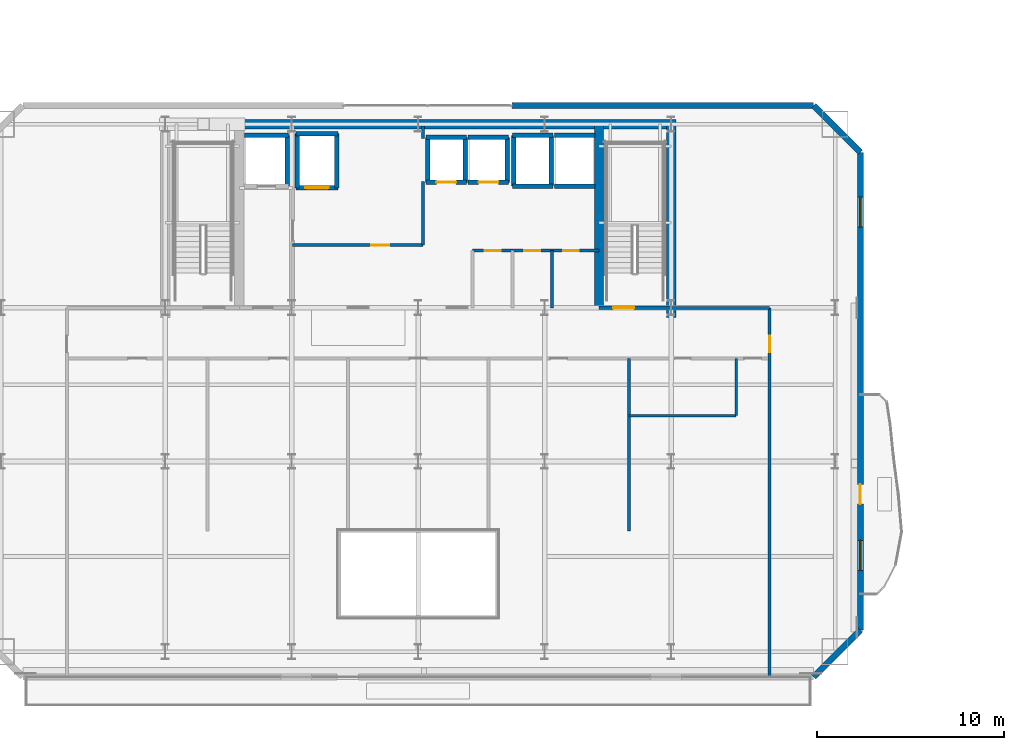
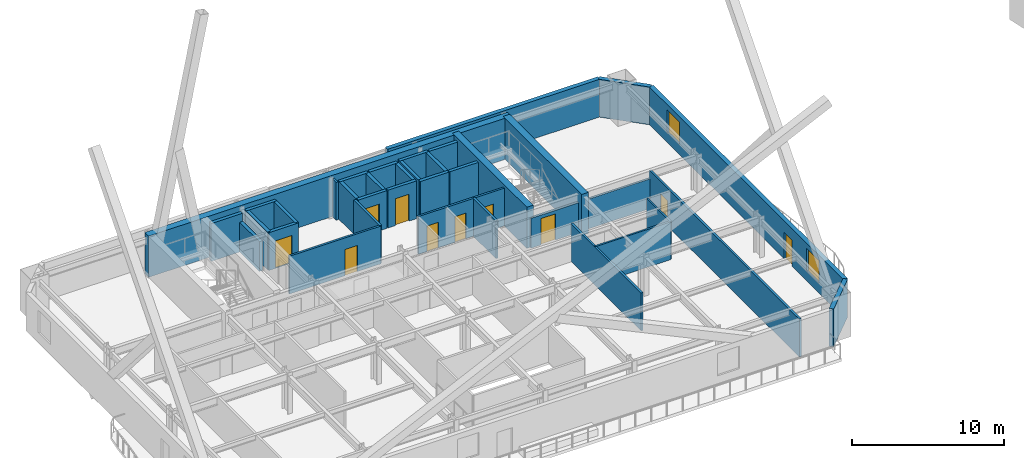
# One storey, part 13 of 22: 37 walls, 10 doors, 2 windows, 12 openings.
"""IFC4 building model written with IfcOpenShell, lengths in metres."""

from ifc_helpers import new_model, si_unit, direction, frame, frame_2d, origin, place, context, subcontext, project, spatial, rectangle, extrude, material, layer, layer_set, type_object, element, fill, save


model = new_model("IFC4")

# Units and contexts
model_context = context("Model", 3, precision=1e-05, world=origin(), true_north=direction((0.0, 1.0)))
body_context = subcontext(model_context, "Body", "Model", "MODEL_VIEW")
ifc_project = project(units=[si_unit("LENGTHUNIT", "METRE"), si_unit("AREAUNIT", "SQUARE_METRE"), si_unit("VOLUMEUNIT", "CUBIC_METRE"), si_unit("PLANEANGLEUNIT", "RADIAN"), si_unit("MASSUNIT", "GRAM", prefix="KILO")], contexts=[model_context])

# Site, building, storey
site_placement = place(None, origin())
site = spatial("IfcSite", under=ifc_project, at=site_placement, CompositionType="ELEMENT")
building_placement = place(site_placement, origin())
building = spatial("IfcBuilding", under=site, at=building_placement, Name="Haevon Station Towers", CompositionType="ELEMENT")
storey_placement = place(building_placement, frame((0.0, 0.0, 93.300048828125)))
storey = spatial("IfcBuildingStorey", under=building, at=storey_placement, Name="L24", CompositionType="ELEMENT", Elevation=93.300048828125)

# Wall, opening, door
ifc_material_1 = material(Name="Gypsum board on steel stud", Category="steel")
ifc_layer_1 = layer(ifc_material_1, 0.199951171875)
ifc_layer_set_1 = layer_set([ifc_layer_1], Name="Gypsum board on steel stud")
wall_type_1 = type_object("IfcWallType", Name="WL-COR200", PredefinedType="PARTITIONING", material=ifc_layer_set_1)
wall_1_placement = place(storey_placement, frame((47.14990234375, 38.199951171875, 0.0), z_axis=(0.0, 0.0, 1.0), x_axis=(1.0, 0.0, 0.0)))
wall_1 = element("IfcWall", 1, at=wall_1_placement, inside=storey, type_object=wall_type_1, Name="WL-ST-ST2-L24", PredefinedType="PARTITIONING", context=body_context, shape_type="SweptSolid", body=[
    extrude(rectangle(XDim=3.85009765625, YDim=0.199951171875, at=frame_2d((1.925048828125, 0.0))), origin(), (0.0, 0.0, 1.0), 2.3798828125),
])
opening_1_placement = place(wall_1_placement, frame((0.75, 0.0, 0.0)))
opening_1 = element("IfcOpeningElement", 2, at=opening_1_placement, cuts=wall_1, Name="Opening DR-ST-ST2-L24", PredefinedType="OPENING", context=body_context, shape_type="SweptSolid", body=[
    extrude(rectangle(XDim=1.1201171875, YDim=2.10009765625, at=frame_2d((0.56005859375, 1.050048828125))), frame((0.0, 0.10986328125, 0.0), z_axis=(0.0, -1.0, 0.0), x_axis=(1.0, 0.0, 0.0)), (0.0, 0.0, 1.0), 0.219970703125),
])
ifc_material_2 = material(Name="Engineered oak timber", Category="wood")
door_type_1 = type_object("IfcDoorType", Name="DR-ST-1120", OperationType="NOTDEFINED", PredefinedType="DOOR", material=ifc_material_2)
door_1_placement = place(opening_1_placement, origin())
door_1 = element("IfcDoor", 3, at=door_1_placement, inside=storey, type_object=door_type_1, Name="L24 Escape Stair ST2 Fire Door", OperationType="SINGLE_SWING_LEFT", OverallHeight=2.10009765625, OverallWidth=1.1201171875, PredefinedType="DOOR", context=body_context, shape_type="SweptSolid", body=[
    extrude(rectangle(XDim=1.1201171875, YDim=2.10009765625, at=frame_2d((0.56005859375, 1.050048828125))), frame((0.0, 0.02490234375, 0.0), z_axis=(0.0, -1.0, 0.0), x_axis=(1.0, 0.0, 0.0)), (0.0, 0.0, 1.0), 0.050048828125),
])
fill(opening_1, door_1)

# Walls
ifc_material_3 = material(Name="Concrete C60/75", Category="concrete")
ifc_layer_2 = layer(ifc_material_3, 0.5)
ifc_layer_set_2 = layer_set([ifc_layer_2], Name="Concrete C60/75")
wall_type_2 = type_object("IfcWallType", Name="WL-CR500", PredefinedType="SHEAR", material=ifc_layer_set_2)
wall_2_placement = place(storey_placement, frame((23.75, 48.0, 0.0), z_axis=(0.0, 0.0, 1.0), x_axis=(1.0, 0.0, 0.0)))
element("IfcWall", 4, at=wall_2_placement, inside=storey, type_object=wall_type_2, Name="WL-T1CR-L24-N", PredefinedType="SHEAR", context=body_context, shape_type="SweptSolid", body=[
    extrude(rectangle(XDim=27.5, YDim=0.5, at=frame_2d((13.75, 0.0))), origin(), (0.0, 0.0, 1.0), 3.300048828125),
])
wall_3_placement = place(storey_placement, frame((51.0, 37.679931640625, 0.0), z_axis=(0.0, 0.0, 1.0), x_axis=(0.0, 1.0, 0.0)))
element("IfcWall", 5, at=wall_3_placement, inside=storey, type_object=wall_type_2, Name="WL-T1CR-L24-E", PredefinedType="SHEAR", context=body_context, shape_type="SweptSolid", body=[
    extrude(rectangle(XDim=10.320068359375, YDim=0.5, at=frame_2d((5.16015625, 0.0))), origin(), (0.0, 0.0, 1.0), 3.300048828125),
])
wall_4_placement = place(storey_placement, frame((47.14990234375, 38.199951171875, 0.0), z_axis=(0.0, 0.0, 1.0), x_axis=(0.0, 1.0, 0.0)))
element("IfcWall", 6, at=wall_4_placement, inside=storey, type_object=wall_type_2, Name="WL-T1CR-L24-M2", PredefinedType="SHEAR", context=body_context, shape_type="SweptSolid", body=[
    extrude(rectangle(XDim=9.800048828125, YDim=0.5, at=frame_2d((4.89990234375, 0.0))), origin(), (0.0, 0.0, 1.0), 3.300048828125),
])
ifc_material_4 = material(Name="Precast concrete C45/55", Category="concrete")
ifc_layer_3 = layer(ifc_material_4, 0.320068359375)
ifc_layer_set_3 = layer_set([ifc_layer_3], Name="Precast concrete C45/55")
wall_type_3 = type_object("IfcWallType", Name="WL-EXT-PIER320", PredefinedType="SOLIDWALL", material=ifc_layer_set_3)
wall_5_placement = place(storey_placement, frame((42.5, 49.0, 0.0), z_axis=(0.0, 0.0, 1.0), x_axis=(1.0, 0.0, 0.0)))
element("IfcWall", 7, at=wall_5_placement, inside=storey, type_object=wall_type_3, Name="WL-T1-L24-N2", PredefinedType="SOLIDWALL", context=body_context, shape_type="SweptSolid", body=[
    extrude(rectangle(XDim=16.10009765625, YDim=0.320068359375, at=frame_2d((8.050048828125, 0.0))), origin(), (0.0, 0.0, 1.0), 3.030029296875),
])
wall_6_placement = place(storey_placement, frame((58.60009765625, 49.0, 0.0), z_axis=(0.0, 0.0, 1.0), x_axis=(0.707106781187, -0.707106781187, 0.0)))
element("IfcWall", 8, at=wall_6_placement, inside=storey, type_object=wall_type_3, Name="WL-T1-L24-NEC", PredefinedType="SOLIDWALL", context=body_context, shape_type="SweptSolid", body=[
    extrude(rectangle(XDim=3.53564453125, YDim=0.320068359375, at=frame_2d((1.767822265625, 0.0))), origin(), (0.0, 0.0, 1.0), 3.030029296875),
])

# Wall, openings, door, windows
wall_7_placement = place(storey_placement, frame((61.10009765625, 46.5, 0.0), z_axis=(0.0, 0.0, 1.0), x_axis=(0.0, -1.0, 0.0)))
wall_7 = element("IfcWall", 9, at=wall_7_placement, inside=storey, type_object=wall_type_3, Name="WL-T1-L24-E", PredefinedType="SOLIDWALL", context=body_context, shape_type="SweptSolid", body=[
    extrude(rectangle(XDim=25.5, YDim=0.320068359375, at=frame_2d((12.75, 0.0))), origin(), (0.0, 0.0, 1.0), 3.030029296875),
])
opening_2_placement = place(wall_7_placement, frame((17.72509765625, 0.0, 0.0)))
opening_2 = element("IfcOpeningElement", 10, at=opening_2_placement, cuts=wall_7, Name="Opening DR-T1-SCAL-L24-E", PredefinedType="OPENING", context=body_context, shape_type="SweptSolid", body=[
    extrude(rectangle(XDim=1.050048828125, YDim=2.10009765625, at=frame_2d((0.52490234375, 1.050048828125))), frame((0.0, 0.169921875, 0.0), z_axis=(0.0, -1.0, 0.0), x_axis=(1.0, 0.0, 0.0)), (0.0, 0.0, 1.0), 0.340087890625),
])
opening_3_placement = place(wall_7_placement, frame((2.392822265625, 0.0, 0.800048828125)))
opening_3 = element("IfcOpeningElement", 11, at=opening_3_placement, cuts=wall_7, Name="Opening WN-END160", PredefinedType="OPENING", context=body_context, shape_type="SweptSolid", body=[
    extrude(rectangle(XDim=1.60009765625, YDim=1.800048828125, at=frame_2d((0.800048828125, 0.89990234375))), frame((0.0, 0.169921875, 0.0), z_axis=(0.0, -1.0, 0.0), x_axis=(1.0, 0.0, 0.0)), (0.0, 0.0, 1.0), 0.340087890625),
])
opening_4_placement = place(wall_7_placement, frame((20.710693359375, 0.0, 0.800048828125)))
opening_4 = element("IfcOpeningElement", 12, at=opening_4_placement, cuts=wall_7, Name="Opening WN-END160", PredefinedType="OPENING", context=body_context, shape_type="SweptSolid", body=[
    extrude(rectangle(XDim=1.60009765625, YDim=1.800048828125, at=frame_2d((0.800048828125, 0.89990234375))), frame((0.0, 0.169921875, 0.0), z_axis=(0.0, -1.0, 0.0), x_axis=(1.0, 0.0, 0.0)), (0.0, 0.0, 1.0), 0.340087890625),
])
ifc_material_5 = material(Name="Thermally broken anodised aluminium and laminated safety glass", Category="aluminium")
door_type_2 = type_object("IfcDoorType", Name="DR-BALC-1050", OperationType="NOTDEFINED", PredefinedType="DOOR", material=ifc_material_5)
door_2_placement = place(opening_2_placement, origin())
door_2 = element("IfcDoor", 13, at=door_2_placement, inside=storey, type_object=door_type_2, Name="Tower 1 L24 East Scalloped Balcony Door", OperationType="SINGLE_SWING_RIGHT", OverallHeight=2.10009765625, OverallWidth=1.050048828125, PredefinedType="DOOR", context=body_context, shape_type="SweptSolid", body=[
    extrude(rectangle(XDim=1.050048828125, YDim=2.10009765625, at=frame_2d((0.52490234375, 1.050048828125))), frame((0.0, 0.02490234375, 0.0), z_axis=(0.0, -1.0, 0.0), x_axis=(1.0, 0.0, 0.0)), (0.0, 0.0, 1.0), 0.050048828125),
])
fill(opening_2, door_2)
ifc_material_6 = material(Name="Low-E triple glazing in thermally broken aluminium", Category="aluminium")
window_type = type_object("IfcWindowType", Name="WN-END160", PartitioningType="SINGLE_PANEL", PredefinedType="WINDOW", material=ifc_material_6)
window_1_placement = place(opening_3_placement, origin())
window_1 = element("IfcWindow", 14, at=window_1_placement, inside=storey, type_object=window_type, Name="WN-T1-L24-E01", OverallHeight=1.800048828125, OverallWidth=1.60009765625, PartitioningType="SINGLE_PANEL", PredefinedType="WINDOW", context=body_context, shape_type="SweptSolid", body=[
    extrude(rectangle(XDim=1.60009765625, YDim=1.800048828125, at=frame_2d((0.800048828125, 0.89990234375))), frame((0.0, 0.030029296875, 0.0), z_axis=(0.0, -1.0, 0.0), x_axis=(1.0, 0.0, 0.0)), (0.0, 0.0, 1.0), 0.06005859375),
])
fill(opening_3, window_1)
window_2_placement = place(opening_4_placement, origin())
window_2 = element("IfcWindow", 15, at=window_2_placement, inside=storey, type_object=window_type, Name="WN-T1-L24-E02", OverallHeight=1.800048828125, OverallWidth=1.60009765625, PartitioningType="SINGLE_PANEL", PredefinedType="WINDOW", context=body_context, shape_type="SweptSolid", body=[
    extrude(rectangle(XDim=1.60009765625, YDim=1.800048828125, at=frame_2d((0.800048828125, 0.89990234375))), frame((0.0, 0.030029296875, 0.0), z_axis=(0.0, -1.0, 0.0), x_axis=(1.0, 0.0, 0.0)), (0.0, 0.0, 1.0), 0.06005859375),
])
fill(opening_4, window_2)

# Walls
wall_8_placement = place(storey_placement, frame((61.10009765625, 21.0, 0.0), z_axis=(0.0, 0.0, 1.0), x_axis=(-0.707106781187, -0.707106781187, 0.0)))
element("IfcWall", 16, at=wall_8_placement, inside=storey, type_object=wall_type_3, Name="WL-T1-L24-SEC", PredefinedType="SOLIDWALL", context=body_context, shape_type="SweptSolid", body=[
    extrude(rectangle(XDim=3.53564453125, YDim=0.320068359375, at=frame_2d((1.767822265625, 0.0))), origin(), (0.0, 0.0, 1.0), 3.030029296875),
])
ifc_layer_4 = layer(ifc_material_1, 0.125)
ifc_layer_set_4 = layer_set([ifc_layer_4], Name="Gypsum board on steel stud")
wall_type_4 = type_object("IfcWallType", Name="WL-PRT125", PredefinedType="PARTITIONING", material=ifc_layer_set_4)
wall_9_placement = place(storey_placement, frame((54.469970703125, 32.449951171875, 0.0), z_axis=(0.0, 0.0, 1.0), x_axis=(0.0, 1.0, 0.0)))
element("IfcWall", 17, at=wall_9_placement, inside=storey, type_object=wall_type_4, Name="WL-T1PT-L24-17", PredefinedType="PARTITIONING", context=body_context, shape_type="SweptSolid", body=[
    extrude(rectangle(XDim=3.050048828125, YDim=0.125, at=frame_2d((1.52490234375, 0.0))), origin(), (0.0, 0.0, 1.0), 3.030029296875),
])
ifc_layer_5 = layer(ifc_material_1, 0.139892578125)
ifc_layer_set_5 = layer_set([ifc_layer_5], Name="Gypsum board on steel stud")
wall_type_5 = type_object("IfcWallType", Name="WL-PRT140", PredefinedType="PARTITIONING", material=ifc_layer_set_5)
wall_10_placement = place(storey_placement, frame((48.75, 32.449951171875, 0.0), z_axis=(0.0, 0.0, 1.0), x_axis=(1.0, 0.0, 0.0)))
element("IfcWall", 18, at=wall_10_placement, inside=storey, type_object=wall_type_5, Name="WL-T1PT-L24-16", PredefinedType="PARTITIONING", context=body_context, shape_type="SweptSolid", body=[
    extrude(rectangle(XDim=5.719970703125, YDim=0.139892578125, at=frame_2d((2.85986328125, 0.0))), origin(), (0.0, 0.0, 1.0), 3.030029296875),
])

# Wall, opening, door
ifc_layer_6 = layer(ifc_material_1, 0.159912109375)
ifc_layer_set_6 = layer_set([ifc_layer_6], Name="Gypsum board on steel stud")
wall_type_6 = type_object("IfcWallType", Name="WL-PRT160", PredefinedType="PARTITIONING", material=ifc_layer_set_6)
wall_11_placement = place(storey_placement, frame((30.800048828125, 41.550048828125, 0.0), z_axis=(0.0, 0.0, 1.0), x_axis=(1.0, 0.0, 0.0)))
wall_11 = element("IfcWall", 19, at=wall_11_placement, inside=storey, type_object=wall_type_6, Name="WL-T1CW-L24-01", PredefinedType="PARTITIONING", context=body_context, shape_type="SweptSolid", body=[
    extrude(rectangle(XDim=6.949951171875, YDim=0.159912109375, at=frame_2d((3.47509765625, 0.0))), origin(), (0.0, 0.0, 1.0), 3.030029296875),
])
opening_5_placement = place(wall_11_placement, frame((4.199951171875, 0.0, 0.0)))
opening_5 = element("IfcOpeningElement", 20, at=opening_5_placement, cuts=wall_11, Name="Opening DR-WL-T1CW-L24-01-1", PredefinedType="OPENING", context=body_context, shape_type="SweptSolid", body=[
    extrude(rectangle(XDim=0.949951171875, YDim=2.10009765625, at=frame_2d((0.47509765625, 1.050048828125))), frame((0.0, 0.08984375, 0.0), z_axis=(0.0, -1.0, 0.0), x_axis=(1.0, 0.0, 0.0)), (0.0, 0.0, 1.0), 0.179931640625),
])
door_type_3 = type_object("IfcDoorType", Name="DR-FD60-950", OperationType="NOTDEFINED", PredefinedType="DOOR", material=ifc_material_2)
door_3_placement = place(opening_5_placement, origin())
door_3 = element("IfcDoor", 21, at=door_3_placement, inside=storey, type_object=door_type_3, Name="L24 Tower 1 Core Room Door 1-1", OperationType="SINGLE_SWING_LEFT", OverallHeight=2.10009765625, OverallWidth=0.949951171875, PredefinedType="DOOR", context=body_context, shape_type="SweptSolid", body=[
    extrude(rectangle(XDim=0.949951171875, YDim=2.10009765625, at=frame_2d((0.47509765625, 1.050048828125))), frame((0.0, 0.02490234375, 0.0), z_axis=(0.0, -1.0, 0.0), x_axis=(1.0, 0.0, 0.0)), (0.0, 0.0, 1.0), 0.050048828125),
])
fill(opening_5, door_3)

# Walls
wall_12_placement = place(storey_placement, frame((37.75, 41.550048828125, 0.0), z_axis=(0.0, 0.0, 1.0), x_axis=(0.0, 1.0, 0.0)))
element("IfcWall", 22, at=wall_12_placement, inside=storey, type_object=wall_type_6, Name="WL-T1CW-L24-02", PredefinedType="PARTITIONING", context=body_context, shape_type="SweptSolid", body=[
    extrude(rectangle(XDim=3.39990234375, YDim=0.159912109375, at=frame_2d((1.699951171875, 0.0))), origin(), (0.0, 0.0, 1.0), 3.030029296875),
])
wall_13_placement = place(storey_placement, frame((37.75, 47.25, 0.0), z_axis=(0.0, 0.0, 1.0), x_axis=(0.0, 1.0, 0.0)))
element("IfcWall", 23, at=wall_13_placement, inside=storey, type_object=wall_type_6, Name="WL-T1CW-L24-03", PredefinedType="PARTITIONING", context=body_context, shape_type="SweptSolid", body=[
    extrude(rectangle(XDim=0.64990234375, YDim=0.159912109375, at=frame_2d((0.324951171875, 0.0))), origin(), (0.0, 0.0, 1.0), 3.030029296875),
])
wall_14_placement = place(storey_placement, frame((44.6298828125, 38.199951171875, 0.0), z_axis=(0.0, 0.0, 1.0), x_axis=(0.0, 1.0, 0.0)))
element("IfcWall", 24, at=wall_14_placement, inside=storey, type_object=wall_type_6, Name="WL-T1CW-L24-06", PredefinedType="PARTITIONING", context=body_context, shape_type="SweptSolid", body=[
    extrude(rectangle(XDim=3.050048828125, YDim=0.159912109375, at=frame_2d((1.52490234375, 0.0))), origin(), (0.0, 0.0, 1.0), 3.030029296875),
])

# Wall, openings, doors
wall_15_placement = place(storey_placement, frame((40.39990234375, 41.25, 0.0), z_axis=(0.0, 0.0, 1.0), x_axis=(1.0, 0.0, 0.0)))
wall_15 = element("IfcWall", 25, at=wall_15_placement, inside=storey, type_object=wall_type_6, Name="WL-T1CW-L24-07", PredefinedType="PARTITIONING", context=body_context, shape_type="SweptSolid", body=[
    extrude(rectangle(XDim=6.75, YDim=0.159912109375, at=frame_2d((3.375, 0.0))), origin(), (0.0, 0.0, 1.0), 3.030029296875),
])
opening_6_placement = place(wall_15_placement, frame((0.659912109375, 0.0, 0.0)))
opening_6 = element("IfcOpeningElement", 26, at=opening_6_placement, cuts=wall_15, Name="Opening DR-WL-T1CW-L24-07-1", PredefinedType="OPENING", context=body_context, shape_type="SweptSolid", body=[
    extrude(rectangle(XDim=0.85009765625, YDim=2.050048828125, at=frame_2d((0.425048828125, 1.02490234375))), frame((0.0, 0.08984375, 0.0), z_axis=(0.0, -1.0, 0.0), x_axis=(1.0, 0.0, 0.0)), (0.0, 0.0, 1.0), 0.179931640625),
])
opening_7_placement = place(wall_15_placement, frame((2.7548828125, 0.0, 0.0)))
opening_7 = element("IfcOpeningElement", 27, at=opening_7_placement, cuts=wall_15, Name="Opening DR-WL-T1CW-L24-07-2", PredefinedType="OPENING", context=body_context, shape_type="SweptSolid", body=[
    extrude(rectangle(XDim=0.85009765625, YDim=2.050048828125, at=frame_2d((0.425048828125, 1.02490234375))), frame((0.0, 0.08984375, 0.0), z_axis=(0.0, -1.0, 0.0), x_axis=(1.0, 0.0, 0.0)), (0.0, 0.0, 1.0), 0.179931640625),
])
opening_8_placement = place(wall_15_placement, frame((4.830078125, 0.0, 0.0)))
opening_8 = element("IfcOpeningElement", 28, at=opening_8_placement, cuts=wall_15, Name="Opening DR-WL-T1CW-L24-07-3", PredefinedType="OPENING", context=body_context, shape_type="SweptSolid", body=[
    extrude(rectangle(XDim=0.85009765625, YDim=2.050048828125, at=frame_2d((0.425048828125, 1.02490234375))), frame((0.0, 0.08984375, 0.0), z_axis=(0.0, -1.0, 0.0), x_axis=(1.0, 0.0, 0.0)), (0.0, 0.0, 1.0), 0.179931640625),
])
door_type_4 = type_object("IfcDoorType", Name="DR-FD30-850", OperationType="NOTDEFINED", PredefinedType="DOOR", material=ifc_material_2)
door_4_placement = place(opening_6_placement, origin())
door_4 = element("IfcDoor", 29, at=door_4_placement, inside=storey, type_object=door_type_4, Name="L24 Tower 1 Core Room Door 7-1", OperationType="SINGLE_SWING_RIGHT", OverallHeight=2.050048828125, OverallWidth=0.85009765625, PredefinedType="DOOR", context=body_context, shape_type="SweptSolid", body=[
    extrude(rectangle(XDim=0.85009765625, YDim=2.050048828125, at=frame_2d((0.425048828125, 1.02490234375))), frame((0.0, 0.02490234375, 0.0), z_axis=(0.0, -1.0, 0.0), x_axis=(1.0, 0.0, 0.0)), (0.0, 0.0, 1.0), 0.050048828125),
])
fill(opening_6, door_4)
door_5_placement = place(opening_7_placement, origin())
door_5 = element("IfcDoor", 30, at=door_5_placement, inside=storey, type_object=door_type_4, Name="L24 Tower 1 Core Room Door 7-2", OperationType="SINGLE_SWING_LEFT", OverallHeight=2.050048828125, OverallWidth=0.85009765625, PredefinedType="DOOR", context=body_context, shape_type="SweptSolid", body=[
    extrude(rectangle(XDim=0.85009765625, YDim=2.050048828125, at=frame_2d((0.425048828125, 1.02490234375))), frame((0.0, 0.02490234375, 0.0), z_axis=(0.0, -1.0, 0.0), x_axis=(1.0, 0.0, 0.0)), (0.0, 0.0, 1.0), 0.050048828125),
])
fill(opening_7, door_5)
door_6_placement = place(opening_8_placement, origin())
door_6 = element("IfcDoor", 31, at=door_6_placement, inside=storey, type_object=door_type_4, Name="L24 Tower 1 Core Room Door 7-3", OperationType="SINGLE_SWING_RIGHT", OverallHeight=2.050048828125, OverallWidth=0.85009765625, PredefinedType="DOOR", context=body_context, shape_type="SweptSolid", body=[
    extrude(rectangle(XDim=0.85009765625, YDim=2.050048828125, at=frame_2d((0.425048828125, 1.02490234375))), frame((0.0, 0.02490234375, 0.0), z_axis=(0.0, -1.0, 0.0), x_axis=(1.0, 0.0, 0.0)), (0.0, 0.0, 1.0), 0.050048828125),
])
fill(opening_8, door_6)

# Wall
wall_16_placement = place(storey_placement, frame((51.0, 38.199951171875, 0.0), z_axis=(0.0, 0.0, 1.0), x_axis=(1.0, 0.0, 0.0)))
element("IfcWall", 32, at=wall_16_placement, inside=storey, type_object=wall_type_6, Name="WL-T1PT-L24-02", PredefinedType="PARTITIONING", context=body_context, shape_type="SweptSolid", body=[
    extrude(rectangle(XDim=5.25, YDim=0.159912109375, at=frame_2d((2.625, 0.0))), origin(), (0.0, 0.0, 1.0), 2.3798828125),
])

# Wall, opening, door
wall_17_placement = place(storey_placement, frame((56.25, 18.5, 0.0), z_axis=(0.0, 0.0, 1.0), x_axis=(0.0, 1.0, 0.0)))
wall_17 = element("IfcWall", 33, at=wall_17_placement, inside=storey, type_object=wall_type_6, Name="WL-T1PT-L24-04", PredefinedType="PARTITIONING", context=body_context, shape_type="SweptSolid", body=[
    extrude(rectangle(XDim=19.699951171875, YDim=0.159912109375, at=frame_2d((9.85009765625, 0.0))), origin(), (0.0, 0.0, 1.0), 3.030029296875),
])
opening_9_placement = place(wall_17_placement, frame((17.320068359375, 0.0, 0.0)))
opening_9 = element("IfcOpeningElement", 34, at=opening_9_placement, cuts=wall_17, Name="Opening DR-WL-T1PT-L24-04-01", PredefinedType="OPENING", context=body_context, shape_type="SweptSolid", body=[
    extrude(rectangle(XDim=0.89990234375, YDim=2.050048828125, at=frame_2d((0.449951171875, 1.02490234375))), frame((0.0, 0.08984375, 0.0), z_axis=(0.0, -1.0, 0.0), x_axis=(1.0, 0.0, 0.0)), (0.0, 0.0, 1.0), 0.179931640625),
])
door_type_5 = type_object("IfcDoorType", Name="DR-INT-900", OperationType="NOTDEFINED", PredefinedType="DOOR", material=ifc_material_2)
door_7_placement = place(opening_9_placement, origin())
door_7 = element("IfcDoor", 35, at=door_7_placement, inside=storey, type_object=door_type_5, Name="L24 Tower 1 Room Door 4-1", OperationType="SINGLE_SWING_RIGHT", OverallHeight=2.050048828125, OverallWidth=0.89990234375, PredefinedType="DOOR", context=body_context, shape_type="SweptSolid", body=[
    extrude(rectangle(XDim=0.89990234375, YDim=2.050048828125, at=frame_2d((0.449951171875, 1.02490234375))), frame((0.0, 0.02490234375, 0.0), z_axis=(0.0, -1.0, 0.0), x_axis=(1.0, 0.0, 0.0)), (0.0, 0.0, 1.0), 0.050048828125),
])
fill(opening_9, door_7)

# Walls
wall_18_placement = place(storey_placement, frame((48.75, 26.300048828125, 0.0), z_axis=(0.0, 0.0, 1.0), x_axis=(0.0, 1.0, 0.0)))
element("IfcWall", 36, at=wall_18_placement, inside=storey, type_object=wall_type_6, Name="WL-T1PT-L24-14", PredefinedType="PARTITIONING", context=body_context, shape_type="SweptSolid", body=[
    extrude(rectangle(XDim=9.199951171875, YDim=0.159912109375, at=frame_2d((4.60009765625, 0.0))), origin(), (0.0, 0.0, 1.0), 3.030029296875),
])
ifc_material_7 = material(Name="Concrete C40/50", Category="concrete")
ifc_layer_7 = layer(ifc_material_7, 0.239990234375)
ifc_layer_set_7 = layer_set([ifc_layer_7], Name="Concrete C40/50")
wall_type_7 = type_object("IfcWallType", Name="WL-SHF240", PredefinedType="PARTITIONING", material=ifc_layer_set_7)
wall_19_placement = place(storey_placement, frame((28.219970703125, 47.39990234375, 0.0), z_axis=(0.0, 0.0, 1.0), x_axis=(1.0, 0.0, 0.0)))
element("IfcWall", 37, at=wall_19_placement, inside=storey, type_object=wall_type_7, Name="WL-SHF-FL1-L24-N", PredefinedType="PARTITIONING", context=body_context, shape_type="SweptSolid", body=[
    extrude(rectangle(XDim=2.360107421875, YDim=0.239990234375, at=frame_2d((1.18017578125, 0.0))), origin(), (0.0, 0.0, 1.0), 3.030029296875),
])
wall_20_placement = place(storey_placement, frame((30.5, 44.699951171875, 0.0), z_axis=(0.0, 0.0, 1.0), x_axis=(0.0, 1.0, 0.0)))
element("IfcWall", 38, at=wall_20_placement, inside=storey, type_object=wall_type_7, Name="WL-SHF-FL1-L24-E", PredefinedType="PARTITIONING", context=body_context, shape_type="SweptSolid", body=[
    extrude(rectangle(XDim=2.699951171875, YDim=0.239990234375, at=frame_2d((1.35009765625, 0.0))), origin(), (0.0, 0.0, 1.0), 2.3798828125),
])

# Wall, opening, door
wall_21_placement = place(storey_placement, frame((30.969970703125, 44.60009765625, 0.0), z_axis=(0.0, 0.0, 1.0), x_axis=(1.0, 0.0, 0.0)))
wall_21 = element("IfcWall", 39, at=wall_21_placement, inside=storey, type_object=wall_type_7, Name="WL-SHF-SL1-L24", PredefinedType="PARTITIONING", context=body_context, shape_type="SweptSolid", body=[
    extrude(rectangle(XDim=2.260009765625, YDim=0.239990234375, at=frame_2d((1.1298828125, 0.0))), origin(), (0.0, 0.0, 1.0), 3.030029296875),
])
opening_10_placement = place(wall_21_placement, frame((0.5048828125, 0.0, 0.0)))
opening_10 = element("IfcOpeningElement", 40, at=opening_10_placement, cuts=wall_21, Name="Opening LD-SL1-L24", PredefinedType="OPENING", context=body_context, shape_type="SweptSolid", body=[
    extrude(rectangle(XDim=1.25, YDim=2.199951171875, at=frame_2d((0.625, 1.10009765625))), frame((0.0, 0.1298828125, 0.0), z_axis=(0.0, -1.0, 0.0), x_axis=(1.0, 0.0, 0.0)), (0.0, 0.0, 1.0), 0.260009765625),
])
ifc_material_8 = material(Name="Stainless steel and rated core", Category="steel")
door_type_6 = type_object("IfcDoorType", Name="LD-SL1250", OperationType="SLIDING_TO_LEFT", PredefinedType="DOOR", material=ifc_material_8)
door_8_placement = place(opening_10_placement, origin())
door_8 = element("IfcDoor", 41, at=door_8_placement, inside=storey, type_object=door_type_6, Name="L24 Lift SL1 Sliding Landing Door", OperationType="SLIDING_TO_LEFT", OverallHeight=2.199951171875, OverallWidth=1.25, PredefinedType="DOOR", context=body_context, shape_type="SweptSolid", body=[
    extrude(rectangle(XDim=1.25, YDim=2.199951171875, at=frame_2d((0.625, 1.10009765625))), frame((0.0, 0.02490234375, 0.0), z_axis=(0.0, -1.0, 0.0), x_axis=(1.0, 0.0, 0.0)), (0.0, 0.0, 1.0), 0.050048828125),
])
fill(opening_10, door_8)

# Walls
wall_22_placement = place(storey_placement, frame((30.969970703125, 47.5, 0.0), z_axis=(0.0, 0.0, 1.0), x_axis=(1.0, 0.0, 0.0)))
element("IfcWall", 42, at=wall_22_placement, inside=storey, type_object=wall_type_7, Name="WL-SHF-SL1-L24-N", PredefinedType="PARTITIONING", context=body_context, shape_type="SweptSolid", body=[
    extrude(rectangle(XDim=2.260009765625, YDim=0.239990234375, at=frame_2d((1.1298828125, 0.0))), origin(), (0.0, 0.0, 1.0), 3.030029296875),
])
for number, where, z_axis, x_axis, name in (
    (43, (31.050048828125, 44.60009765625, 0.0), (0.0, 0.0, 1.0), (0.0, 1.0, 0.0), "WL-SHF-SL1-L24-W"),
    (44, (33.14990234375, 44.60009765625, 0.0), (0.0, 0.0, 1.0), (0.0, 1.0, 0.0), "WL-SHF-SL1-L24-E"),
):
    element("IfcWall", number, at=place(storey_placement, frame(where, z_axis=z_axis, x_axis=x_axis)), inside=storey, type_object=wall_type_7, Name=name, PredefinedType="PARTITIONING", context=body_context, shape_type="SweptSolid", body=[
        extrude(rectangle(XDim=2.89990234375, YDim=0.239990234375, at=frame_2d((1.449951171875, 0.0))), origin(), (0.0, 0.0, 1.0), 3.030029296875),
    ])

# Wall, opening, door
wall_23_placement = place(storey_placement, frame((37.919921875, 44.89990234375, 0.0), z_axis=(0.0, 0.0, 1.0), x_axis=(1.0, 0.0, 0.0)))
wall_23 = element("IfcWall", 45, at=wall_23_placement, inside=storey, type_object=wall_type_7, Name="WL-SHF-PL3-L24", PredefinedType="PARTITIONING", context=body_context, shape_type="SweptSolid", body=[
    extrude(rectangle(XDim=2.16015625, YDim=0.239990234375, at=frame_2d((1.080078125, 0.0))), origin(), (0.0, 0.0, 1.0), 3.030029296875),
])
opening_11_placement = place(wall_23_placement, frame((0.554931640625, 0.0, 0.0)))
opening_11 = element("IfcOpeningElement", 46, at=opening_11_placement, cuts=wall_23, Name="Opening LD-PL3-L24", PredefinedType="OPENING", context=body_context, shape_type="SweptSolid", body=[
    extrude(rectangle(XDim=1.050048828125, YDim=2.14990234375, at=frame_2d((0.52490234375, 1.074951171875))), frame((0.0, 0.1298828125, 0.0), z_axis=(0.0, -1.0, 0.0), x_axis=(1.0, 0.0, 0.0)), (0.0, 0.0, 1.0), 0.260009765625),
])
door_type_7 = type_object("IfcDoorType", Name="LD-PL1050", OperationType="SLIDING_TO_LEFT", PredefinedType="DOOR", material=ifc_material_8)
door_9_placement = place(opening_11_placement, origin())
door_9 = element("IfcDoor", 47, at=door_9_placement, inside=storey, type_object=door_type_7, Name="L24 Lift PL3 Sliding Landing Door", OperationType="SLIDING_TO_LEFT", OverallHeight=2.14990234375, OverallWidth=1.050048828125, PredefinedType="DOOR", context=body_context, shape_type="SweptSolid", body=[
    extrude(rectangle(XDim=1.050048828125, YDim=2.14990234375, at=frame_2d((0.52490234375, 1.074951171875))), frame((0.0, 0.02490234375, 0.0), z_axis=(0.0, -1.0, 0.0), x_axis=(1.0, 0.0, 0.0)), (0.0, 0.0, 1.0), 0.050048828125),
])
fill(opening_11, door_9)

# Walls
wall_24_placement = place(storey_placement, frame((37.919921875, 47.300048828125, 0.0), z_axis=(0.0, 0.0, 1.0), x_axis=(1.0, 0.0, 0.0)))
element("IfcWall", 48, at=wall_24_placement, inside=storey, type_object=wall_type_7, Name="WL-SHF-PL3-L24-N", PredefinedType="PARTITIONING", context=body_context, shape_type="SweptSolid", body=[
    extrude(rectangle(XDim=2.16015625, YDim=0.239990234375, at=frame_2d((1.080078125, 0.0))), origin(), (0.0, 0.0, 1.0), 3.030029296875),
])
for number, where, z_axis, x_axis, name in (
    (49, (38.0, 44.89990234375, 0.0), (0.0, 0.0, 1.0), (0.0, 1.0, 0.0), "WL-SHF-PL3-L24-W"),
    (50, (40.0, 44.89990234375, 0.0), (0.0, 0.0, 1.0), (0.0, 1.0, 0.0), "WL-SHF-PL3-L24-E"),
):
    element("IfcWall", number, at=place(storey_placement, frame(where, z_axis=z_axis, x_axis=x_axis)), inside=storey, type_object=wall_type_7, Name=name, PredefinedType="PARTITIONING", context=body_context, shape_type="SweptSolid", body=[
        extrude(rectangle(XDim=2.400146484375, YDim=0.239990234375, at=frame_2d((1.2001953125, 0.0))), origin(), (0.0, 0.0, 1.0), 3.030029296875),
    ])

# Wall, opening, door
wall_25_placement = place(storey_placement, frame((40.169921875, 44.89990234375, 0.0), z_axis=(0.0, 0.0, 1.0), x_axis=(1.0, 0.0, 0.0)))
wall_25 = element("IfcWall", 51, at=wall_25_placement, inside=storey, type_object=wall_type_7, Name="WL-SHF-PL4-L24", PredefinedType="PARTITIONING", context=body_context, shape_type="SweptSolid", body=[
    extrude(rectangle(XDim=2.16015625, YDim=0.239990234375, at=frame_2d((1.080078125, 0.0))), origin(), (0.0, 0.0, 1.0), 3.030029296875),
])
opening_12_placement = place(wall_25_placement, frame((0.554931640625, 0.0, 0.0)))
opening_12 = element("IfcOpeningElement", 52, at=opening_12_placement, cuts=wall_25, Name="Opening LD-PL4-L24", PredefinedType="OPENING", context=body_context, shape_type="SweptSolid", body=[
    extrude(rectangle(XDim=1.050048828125, YDim=2.14990234375, at=frame_2d((0.52490234375, 1.074951171875))), frame((0.0, 0.1298828125, 0.0), z_axis=(0.0, -1.0, 0.0), x_axis=(1.0, 0.0, 0.0)), (0.0, 0.0, 1.0), 0.260009765625),
])
door_10_placement = place(opening_12_placement, origin())
door_10 = element("IfcDoor", 53, at=door_10_placement, inside=storey, type_object=door_type_7, Name="L24 Lift PL4 Sliding Landing Door", OperationType="SLIDING_TO_LEFT", OverallHeight=2.14990234375, OverallWidth=1.050048828125, PredefinedType="DOOR", context=body_context, shape_type="SweptSolid", body=[
    extrude(rectangle(XDim=1.050048828125, YDim=2.14990234375, at=frame_2d((0.52490234375, 1.074951171875))), frame((0.0, 0.02490234375, 0.0), z_axis=(0.0, -1.0, 0.0), x_axis=(1.0, 0.0, 0.0)), (0.0, 0.0, 1.0), 0.050048828125),
])
fill(opening_12, door_10)

# Walls
wall_26_placement = place(storey_placement, frame((40.169921875, 47.300048828125, 0.0), z_axis=(0.0, 0.0, 1.0), x_axis=(1.0, 0.0, 0.0)))
element("IfcWall", 54, at=wall_26_placement, inside=storey, type_object=wall_type_7, Name="WL-SHF-PL4-L24-N", PredefinedType="PARTITIONING", context=body_context, shape_type="SweptSolid", body=[
    extrude(rectangle(XDim=2.16015625, YDim=0.239990234375, at=frame_2d((1.080078125, 0.0))), origin(), (0.0, 0.0, 1.0), 3.030029296875),
])
wall_27_placement = place(storey_placement, frame((42.25, 44.89990234375, 0.0), z_axis=(0.0, 0.0, 1.0), x_axis=(0.0, 1.0, 0.0)))
element("IfcWall", 55, at=wall_27_placement, inside=storey, type_object=wall_type_7, Name="WL-SHF-PL4-L24-E", PredefinedType="PARTITIONING", context=body_context, shape_type="SweptSolid", body=[
    extrude(rectangle(XDim=2.400146484375, YDim=0.239990234375, at=frame_2d((1.2001953125, 0.0))), origin(), (0.0, 0.0, 1.0), 3.030029296875),
])
for number, where, z_axis, x_axis, name in (
    (56, (42.52001953125, 44.699951171875, 0.0), (0.0, 0.0, 1.0), (1.0, 0.0, 0.0), "WL-SHF-PL5-L24"),
    (57, (42.52001953125, 47.39990234375, 0.0), (0.0, 0.0, 1.0), (1.0, 0.0, 0.0), "WL-SHF-PL5-L24-N"),
):
    element("IfcWall", number, at=place(storey_placement, frame(where, z_axis=z_axis, x_axis=x_axis)), inside=storey, type_object=wall_type_7, Name=name, PredefinedType="PARTITIONING", context=body_context, shape_type="SweptSolid", body=[
        extrude(rectangle(XDim=2.159912109375, YDim=0.239990234375, at=frame_2d((1.080078125, 0.0))), origin(), (0.0, 0.0, 1.0), 3.030029296875),
    ])
for number, where, z_axis, x_axis, name in (
    (58, (42.60009765625, 44.699951171875, 0.0), (0.0, 0.0, 1.0), (0.0, 1.0, 0.0), "WL-SHF-PL5-L24-W"),
    (59, (44.60009765625, 44.699951171875, 0.0), (0.0, 0.0, 1.0), (0.0, 1.0, 0.0), "WL-SHF-PL5-L24-E"),
):
    element("IfcWall", number, at=place(storey_placement, frame(where, z_axis=z_axis, x_axis=x_axis)), inside=storey, type_object=wall_type_7, Name=name, PredefinedType="PARTITIONING", context=body_context, shape_type="SweptSolid", body=[
        extrude(rectangle(XDim=2.699951171875, YDim=0.239990234375, at=frame_2d((1.35009765625, 0.0))), origin(), (0.0, 0.0, 1.0), 3.030029296875),
    ])
for number, where, z_axis, x_axis, name in (
    (60, (44.77001953125, 44.699951171875, 0.0), (0.0, 0.0, 1.0), (1.0, 0.0, 0.0), "WL-SHF-PL6-L24"),
    (61, (44.77001953125, 47.39990234375, 0.0), (0.0, 0.0, 1.0), (1.0, 0.0, 0.0), "WL-SHF-PL6-L24-N"),
):
    element("IfcWall", number, at=place(storey_placement, frame(where, z_axis=z_axis, x_axis=x_axis)), inside=storey, type_object=wall_type_7, Name=name, PredefinedType="PARTITIONING", context=body_context, shape_type="SweptSolid", body=[
        extrude(rectangle(XDim=2.159912109375, YDim=0.239990234375, at=frame_2d((1.080078125, 0.0))), origin(), (0.0, 0.0, 1.0), 3.030029296875),
    ])

save(model, "model.ifc")
